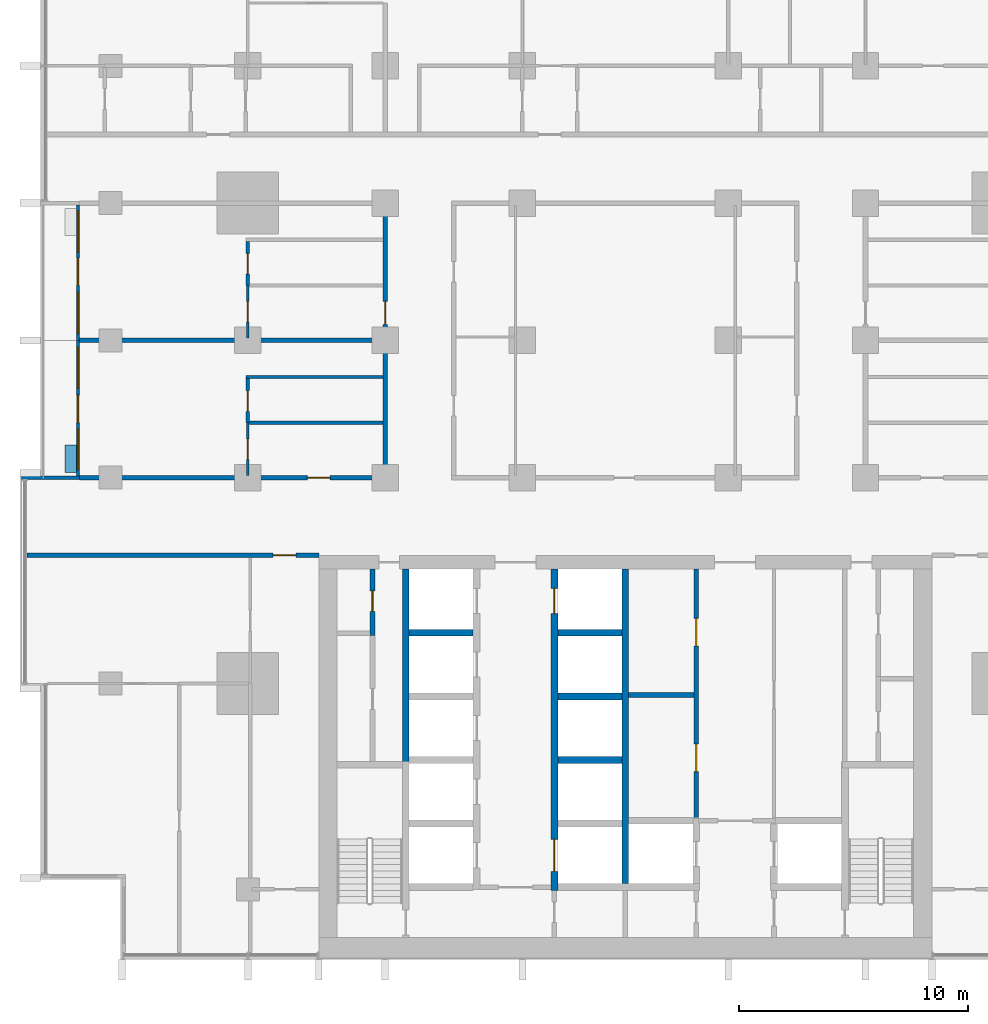
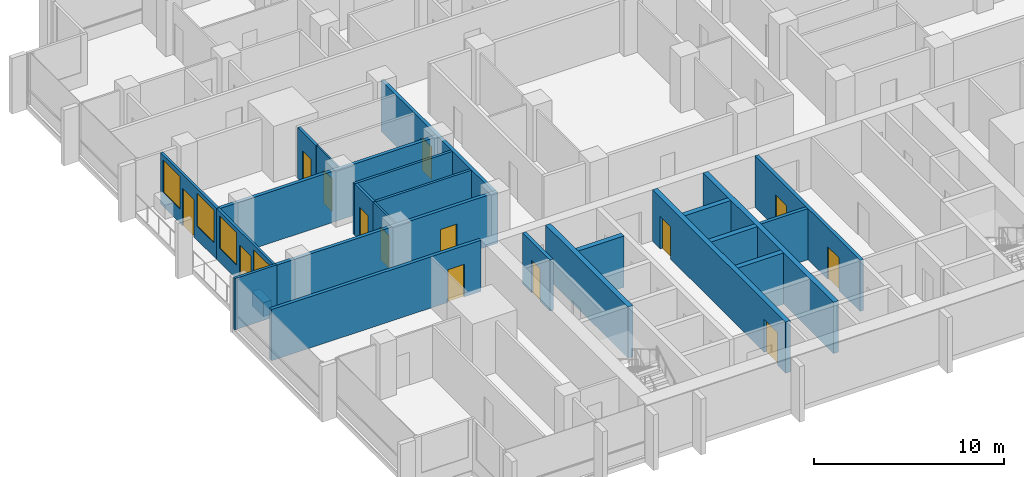
# One storey, part 8 of 17: 24 walls, 14 doors, 4 windows, 18 openings.
"""IFC4 building model written with IfcOpenShell, lengths in metres."""

import ifcopenshell
import ifcopenshell.guid

model = None  # the IFC model being written
_history = None  # IfcOwnerHistory: only IFC2X3 demands one
_inside = {}  # id of a spatial element -> (the spatial element, [elements in it])
_under = {}  # id of a project, library or spatial element -> (it, [spatial elements below it])
_declared = {}  # id of a project -> (the project, [libraries it declares])
_typed = {}  # id of a type object -> (the type object, [elements of that type])
_made_of = {}  # id of a material, layer set ... -> (it, [elements and type objects made of it])


def new_model(schema):
    """Start an empty IFC model of exactly this schema.

    Asked for "IFC4X3", IfcOpenShell would pick the latest addendum, in which some entities
    have other attributes; the version numbers below select the first issue.
    IFC2X3 requires an IfcOwnerHistory on every rooted entity: one is made here for all.
    """
    global model, _history
    if schema == "IFC4X3":
        model = ifcopenshell.file(schema_version=(4, 3, 0, 0))
    else:
        model = ifcopenshell.file(schema=schema)
    _inside.clear()
    _under.clear()
    _declared.clear()
    _typed.clear()
    _made_of.clear()
    _history = None
    if model.schema == "IFC2X3":
        org = make("IfcOrganization", Name="unknown")
        user = make(
            "IfcPersonAndOrganization",
            ThePerson=make("IfcPerson", FamilyName="unknown"),
            TheOrganization=org,
        )
        app = make(
            "IfcApplication",
            ApplicationDeveloper=org,
            Version="unknown",
            ApplicationFullName="unknown",
            ApplicationIdentifier="unknown",
        )
        _history = make(
            "IfcOwnerHistory",
            OwningUser=user,
            OwningApplication=app,
            ChangeAction="ADDED",
            CreationDate=0,
        )
    return model


def make(cls, **values):
    """One entity of the class cls with the attributes given. An attribute that is None is left unset."""
    return model.create_entity(
        cls, **{name: value for name, value in values.items() if value is not None}
    )


def rooted(cls, **values):
    """An entity with a GlobalId (a new one), such as an element, a storey or a relation."""
    return make(cls, GlobalId=ifcopenshell.guid.new(), OwnerHistory=_history, **values)


def si_unit(unit_type, name, prefix=None):
    """IfcSIUnit, for example si_unit("LENGTHUNIT", "METRE", prefix="MILLI")."""
    return make("IfcSIUnit", UnitType=unit_type, Prefix=prefix, Name=name)


def assignment(units):
    """IfcUnitAssignment: the units of a project."""
    return None if units is None else make("IfcUnitAssignment", Units=units)


def point(xyz):
    """IfcCartesianPoint."""
    return None if xyz is None else make("IfcCartesianPoint", Coordinates=xyz)


def direction(xyz):
    """IfcDirection."""
    return None if xyz is None else make("IfcDirection", DirectionRatios=xyz)


def frame(location, z_axis=None, x_axis=None):
    """IfcAxis2Placement3D, a coordinate frame: its origin and axes. An axis left out is left unset."""
    return make(
        "IfcAxis2Placement3D",
        Location=point(location),
        Axis=direction(z_axis),
        RefDirection=direction(x_axis),
    )


def frame_2d(location, x_axis=None):
    """IfcAxis2Placement2D, a coordinate frame in the plane: its origin and x axis."""
    return make(
        "IfcAxis2Placement2D", Location=point(location), RefDirection=direction(x_axis)
    )


def origin():
    """The frame at (0, 0, 0) with its axes left unset."""
    return frame((0.0, 0.0, 0.0))


def place(relative_to, where):
    """IfcLocalPlacement: puts the frame where relative to a parent placement (None: the world)."""
    return make(
        "IfcLocalPlacement", PlacementRelTo=relative_to, RelativePlacement=where
    )


def context(
    kind, dimensions, precision=None, world=None, true_north=None, identifier=None
):
    """IfcGeometricRepresentationContext, for example the 3D "Model" context."""
    return make(
        "IfcGeometricRepresentationContext",
        ContextIdentifier=identifier,
        ContextType=kind,
        CoordinateSpaceDimension=dimensions,
        Precision=precision,
        WorldCoordinateSystem=world,
        TrueNorth=true_north,
    )


def subcontext(parent, identifier, kind, view, scale=None):
    """IfcGeometricRepresentationSubContext, for example "Body" below "Model"."""
    return make(
        "IfcGeometricRepresentationSubContext",
        ContextIdentifier=identifier,
        ContextType=kind,
        ParentContext=parent,
        TargetScale=scale,
        TargetView=view,
    )


def project(units=None, contexts=None):
    """IfcProject with its units and contexts."""
    return rooted(
        "IfcProject",
        Name="project",
        RepresentationContexts=contexts,
        UnitsInContext=assignment(units),
    )


def spatial(cls, under=None, at=None, **own):
    """A site, building, storey or space (cls), placed at a placement, below another one or the project."""
    s = rooted(cls, ObjectPlacement=at, **own)
    if under is not None:
        _under.setdefault(under.id(), (under, []))[1].append(s)
    return s


def profile(cls, at=None, kind="AREA", **sizes):
    """A parametric profile (cls). Its sizes go by their IFC names, for example OverallWidth=200.0."""
    return make(cls, ProfileType=kind, Position=at, **sizes)


def rectangle(**sizes):
    """IfcRectangleProfileDef."""
    return profile("IfcRectangleProfileDef", **sizes)


def extrude(swept, where, along, depth):
    """IfcExtrudedAreaSolid: the profile swept, set in the frame where, extruded along a direction by depth."""
    return make(
        "IfcExtrudedAreaSolid",
        SweptArea=swept,
        Position=where,
        ExtrudedDirection=direction(along),
        Depth=depth,
    )


def shape(context_of_items, identifier, shape_type, items):
    """IfcShapeRepresentation: the items that make up one representation, for example the "Body"."""
    return make(
        "IfcShapeRepresentation",
        ContextOfItems=context_of_items,
        RepresentationIdentifier=identifier,
        RepresentationType=shape_type,
        Items=items,
    )


def material(Name=None, Category=None):
    """IfcMaterial."""
    return make("IfcMaterial", Name=Name, Category=Category)


def layer(
    of_material, thickness, ventilated=None, Name=None, Category=None, Priority=None
):
    """IfcMaterialLayer: one layer of a wall or slab, of a material (None: an air gap)."""
    return make(
        "IfcMaterialLayer",
        Material=of_material,
        LayerThickness=thickness,
        IsVentilated=ventilated,
        Name=Name,
        Category=Category,
        Priority=Priority,
    )


def layer_set(layers, Name=None):
    """IfcMaterialLayerSet."""
    return make("IfcMaterialLayerSet", MaterialLayers=layers, LayerSetName=Name)


def made_of(thing, what):
    """Note that an element or type object is made of a material, layer set ...; save() writes the relation."""
    if what is not None:
        _made_of.setdefault(what.id(), (what, []))[1].append(thing)
    return thing


def type_object(cls, material=None, **own):
    """A type object (cls), such as IfcWallType, which elements share."""
    return made_of(rooted(cls, **own), material)


def element(
    cls,
    number,
    at=None,
    inside=None,
    cuts=None,
    type_object=None,
    material=None,
    context=None,
    identifier="Body",
    shape_type=None,
    held_by="IfcProductDefinitionShape",
    body=None,
    shapes=None,
    **own,
):
    """One element of the class cls, such as IfcWall. Its Tag is "e" and its number.

    at: its placement. inside: the storey or other place that contains it. cuts: it is an
    opening in that element (IfcRelVoidsElement). A single representation is given by context,
    identifier, shape_type and body (its items); several are given by shapes. held_by: the class
    of the entity that holds the representations. save() writes the other relations.
    """
    e = rooted(cls, Tag="e%d" % number, ObjectPlacement=at, **own)
    if body is not None:
        shapes = [shape(context, identifier, shape_type, body)]
    if shapes is not None:
        e.Representation = make(held_by, Representations=shapes)
    if inside is not None:
        _inside.setdefault(inside.id(), (inside, []))[1].append(e)
    if cuts is not None:
        rooted(
            "IfcRelVoidsElement", RelatingBuildingElement=cuts, RelatedOpeningElement=e
        )
    if type_object is not None:
        _typed.setdefault(type_object.id(), (type_object, []))[1].append(e)
    return made_of(e, material)


def fill(opening, filler):
    """IfcRelFillsElement: the door or window that sits in an opening."""
    return rooted(
        "IfcRelFillsElement",
        RelatingOpeningElement=opening,
        RelatedBuildingElement=filler,
    )


def aggregate(whole, parts):
    """IfcRelAggregates: a whole, such as a stair, and the parts it consists of."""
    return rooted("IfcRelAggregates", RelatingObject=whole, RelatedObjects=parts)


def save(model, path):
    """Write the relations noted so far, then the file.

    IfcRelAggregates (storeys below a building ...), IfcRelContainedInSpatialStructure (elements
    in a storey), IfcRelDefinesByType, IfcRelAssociatesMaterial and IfcRelDeclares: one each for
    every whole, place, type object, material and project.
    """
    for whole, parts in _under.values():
        aggregate(whole, parts)
    for where, things in _inside.values():
        rooted(
            "IfcRelContainedInSpatialStructure",
            RelatedElements=things,
            RelatingStructure=where,
        )
    for kind, things in _typed.values():
        rooted("IfcRelDefinesByType", RelatedObjects=things, RelatingType=kind)
    for what, things in _made_of.values():
        rooted("IfcRelAssociatesMaterial", RelatedObjects=things, RelatingMaterial=what)
    for by, libraries in _declared.values():
        rooted("IfcRelDeclares", RelatingContext=by, RelatedDefinitions=libraries)
    model.write(path)


model = new_model("IFC4")

# Units and contexts
model_context = context("Model", 3, precision=1e-05, world=origin(), true_north=direction((0.0, 1.0)))
body_context = subcontext(model_context, "Body", "Model", "MODEL_VIEW")
ifc_project = project(units=[si_unit("LENGTHUNIT", "METRE"), si_unit("AREAUNIT", "SQUARE_METRE"), si_unit("VOLUMEUNIT", "CUBIC_METRE"), si_unit("PLANEANGLEUNIT", "RADIAN"), si_unit("MASSUNIT", "GRAM", prefix="KILO")], contexts=[model_context])

# Site, building, storey
site_placement = place(None, origin())
site = spatial("IfcSite", under=ifc_project, at=site_placement, CompositionType="ELEMENT")
building_placement = place(site_placement, origin())
building = spatial("IfcBuilding", under=site, at=building_placement, Name="Finial Court Residences", CompositionType="ELEMENT")
storey_placement = place(building_placement, frame((0.0, 0.0, 102.699951171875)))
storey = spatial("IfcBuildingStorey", under=building, at=storey_placement, Name="L25", CompositionType="ELEMENT", Elevation=102.699951171875)

# Wall
ifc_material_1 = material(Name="Gypsum board")
ifc_layer_1 = layer(ifc_material_1, 0.02490234375)
ifc_material_2 = material(Name="Acoustic mineral wool in double frame")
ifc_layer_2 = layer(ifc_material_2, 0.14990234375)
ifc_layer_3 = layer(ifc_material_1, 0.02490234375)
ifc_layer_set_1 = layer_set([ifc_layer_1, ifc_layer_2, ifc_layer_3], Name="Acoustic party wall 200, 1 hour")
wall_type_1 = type_object("IfcWallType", Name="Acoustic party wall 200, 1 hour", PredefinedType="PARTITIONING", material=ifc_layer_set_1)
wall_1_placement = place(storey_placement, frame((-23.85009765625, 1.5, 0.0), z_axis=(0.0, 0.0, 1.0), x_axis=(1.0, 0.0, 0.0)))
element("IfcWall", 1, at=wall_1_placement, inside=storey, type_object=wall_type_1, Name="Partition L25-016", PredefinedType="PARTITIONING", context=body_context, shape_type="SweptSolid", body=[
    extrude(rectangle(XDim=13.25, YDim=0.199951171875, at=frame_2d((6.625, 0.0))), origin(), (0.0, 0.0, 1.0), 3.300048828125),
])

# Wall, opening, door
ifc_layer_4 = layer(ifc_material_1, 0.02490234375)
ifc_layer_5 = layer(ifc_material_2, 0.14990234375)
ifc_layer_6 = layer(ifc_material_1, 0.02490234375)
ifc_layer_set_2 = layer_set([ifc_layer_4, ifc_layer_5, ifc_layer_6], Name="Corridor wall 200, 1 hour")
wall_type_2 = type_object("IfcWallType", Name="Corridor wall 200, 1 hour", PredefinedType="PARTITIONING", material=ifc_layer_set_2)
wall_2_placement = place(storey_placement, frame((-26.14990234375, -7.89990234375, 0.0), z_axis=(0.0, 0.0, 1.0), x_axis=(1.0, 0.0, 0.0)))
wall_2 = element("IfcWall", 2, at=wall_2_placement, inside=storey, type_object=wall_type_2, Name="Partition L25-007", PredefinedType="PARTITIONING", context=body_context, shape_type="SweptSolid", body=[
    extrude(rectangle(XDim=12.75, YDim=0.199951171875, at=frame_2d((6.375, 0.0))), origin(), (0.0, 0.0, 1.0), 3.300048828125),
])
opening_1_placement = place(wall_2_placement, frame((10.75, 0.0, 0.0)))
opening_1 = element("IfcOpeningElement", 3, at=opening_1_placement, cuts=wall_2, Name="Opening L25-D005", PredefinedType="OPENING", context=body_context, shape_type="SweptSolid", body=[
    extrude(rectangle(XDim=1.0, YDim=2.10009765625, at=frame_2d((0.5, 1.050048828125))), frame((0.0, 0.10986328125, 0.0), z_axis=(0.0, -1.0, 0.0), x_axis=(1.0, 0.0, 0.0)), (0.0, 0.0, 1.0), 0.219970703125),
])
ifc_material_3 = material(Name="Timber door leaf in hollow metal frame", Category="wood")
door_type_1 = type_object("IfcDoorType", Name="Fire door set 1000 x 2100, 30 minutes", OperationType="SINGLE_SWING_LEFT", PredefinedType="DOOR", material=ifc_material_3)
door_1_placement = place(opening_1_placement, origin())
door_1 = element("IfcDoor", 4, at=door_1_placement, inside=storey, type_object=door_type_1, Name="Door L25-D005", OperationType="SINGLE_SWING_RIGHT", OverallHeight=2.10009765625, OverallWidth=1.0, PredefinedType="DOOR", context=body_context, shape_type="SweptSolid", body=[
    extrude(rectangle(XDim=1.0, YDim=2.10009765625, at=frame_2d((0.5, 1.050048828125))), frame((0.0, 0.02490234375, 0.0), z_axis=(0.0, -1.0, 0.0), x_axis=(1.0, 0.0, 0.0)), (0.0, 0.0, 1.0), 0.050048828125),
])
fill(opening_1, door_1)

wall_3_placement = place(storey_placement, frame((-23.85009765625, -4.5, 0.0), z_axis=(0.0, 0.0, 1.0), x_axis=(1.0, 0.0, 0.0)))
wall_3 = element("IfcWall", 5, at=wall_3_placement, inside=storey, type_object=wall_type_2, Name="Partition L25-009", PredefinedType="PARTITIONING", context=body_context, shape_type="SweptSolid", body=[
    extrude(rectangle(XDim=13.4501953125, YDim=0.199951171875, at=frame_2d((6.72509765625, 0.0))), origin(), (0.0, 0.0, 1.0), 3.300048828125),
])
opening_2_placement = place(wall_3_placement, frame((9.949951171875, 0.0, 0.0)))
opening_2 = element("IfcOpeningElement", 6, at=opening_2_placement, cuts=wall_3, Name="Opening L25-D007", PredefinedType="OPENING", context=body_context, shape_type="SweptSolid", body=[
    extrude(rectangle(XDim=1.0, YDim=2.10009765625, at=frame_2d((0.5, 1.050048828125))), frame((0.0, 0.10986328125, 0.0), z_axis=(0.0, -1.0, 0.0), x_axis=(1.0, 0.0, 0.0)), (0.0, 0.0, 1.0), 0.219970703125),
])
door_2_placement = place(opening_2_placement, origin())
door_2 = element("IfcDoor", 7, at=door_2_placement, inside=storey, type_object=door_type_1, Name="Door L25-D007", OperationType="SINGLE_SWING_LEFT", OverallHeight=2.10009765625, OverallWidth=1.0, PredefinedType="DOOR", context=body_context, shape_type="SweptSolid", body=[
    extrude(rectangle(XDim=1.0, YDim=2.10009765625, at=frame_2d((0.5, 1.050048828125))), frame((0.0, 0.02490234375, 0.0), z_axis=(0.0, -1.0, 0.0), x_axis=(1.0, 0.0, 0.0)), (0.0, 0.0, 1.0), 0.050048828125),
])
fill(opening_2, door_2)

wall_4_placement = place(storey_placement, frame((-10.5, -4.39990234375, 0.0), z_axis=(0.0, 0.0, 1.0), x_axis=(0.0, 1.0, 0.0)))
wall_4 = element("IfcWall", 8, at=wall_4_placement, inside=storey, type_object=wall_type_2, Name="Partition L25-053", PredefinedType="PARTITIONING", context=body_context, shape_type="SweptSolid", body=[
    extrude(rectangle(XDim=11.7998046875, YDim=0.199951171875, at=frame_2d((5.89990234375, 0.0))), origin(), (0.0, 0.0, 1.0), 3.300048828125),
])
opening_3_placement = place(wall_4_placement, frame((6.60009765625, 0.0, 0.0)))
opening_3 = element("IfcOpeningElement", 9, at=opening_3_placement, cuts=wall_4, Name="Opening L25-D032", PredefinedType="OPENING", context=body_context, shape_type="SweptSolid", body=[
    extrude(rectangle(XDim=1.0, YDim=2.10009765625, at=frame_2d((0.5, 1.050048828125))), frame((0.0, 0.10986328125, 0.0), z_axis=(0.0, -1.0, 0.0), x_axis=(1.0, 0.0, 0.0)), (0.0, 0.0, 1.0), 0.219970703125),
])
door_3_placement = place(opening_3_placement, origin())
door_3 = element("IfcDoor", 10, at=door_3_placement, inside=storey, type_object=door_type_1, Name="Door L25-D032", OperationType="SINGLE_SWING_LEFT", OverallHeight=2.10009765625, OverallWidth=1.0, PredefinedType="DOOR", context=body_context, shape_type="SweptSolid", body=[
    extrude(rectangle(XDim=1.0, YDim=2.10009765625, at=frame_2d((0.5, 1.050048828125))), frame((0.0, 0.02490234375, 0.0), z_axis=(0.0, -1.0, 0.0), x_axis=(1.0, 0.0, 0.0)), (0.0, 0.0, 1.0), 0.050048828125),
])
fill(opening_3, door_3)

ifc_layer_7 = layer(ifc_material_1, 0.012451171875)
ifc_material_4 = material(Name="Mineral wool in light-gauge frame")
ifc_layer_8 = layer(ifc_material_4, 0.074951171875)
ifc_layer_9 = layer(ifc_material_1, 0.012451171875)
ifc_layer_set_3 = layer_set([ifc_layer_7, ifc_layer_8, ifc_layer_9], Name="Gypsum board partition 100")
wall_type_3 = type_object("IfcWallType", Name="Gypsum board partition 100", PredefinedType="PARTITIONING", material=ifc_layer_set_3)
wall_5_placement = place(storey_placement, frame((-16.5, -4.39990234375, 0.0), z_axis=(0.0, 0.0, 1.0), x_axis=(0.0, 1.0, 0.0)))
wall_5 = element("IfcWall", 11, at=wall_5_placement, inside=storey, type_object=wall_type_3, Name="Partition L25-045", PredefinedType="PARTITIONING", context=body_context, shape_type="SweptSolid", body=[
    extrude(rectangle(XDim=2.2998046875, YDim=0.10009765625, at=frame_2d((1.14990234375, 0.0))), origin(), (0.0, 0.0, 1.0), 3.300048828125),
])
opening_4_placement = place(wall_5_placement, frame((0.699951171875, 0.0, 0.0)))
opening_4 = element("IfcOpeningElement", 12, at=opening_4_placement, cuts=wall_5, Name="Opening L25-D026", PredefinedType="OPENING", context=body_context, shape_type="SweptSolid", body=[
    extrude(rectangle(XDim=0.89990234375, YDim=2.10009765625, at=frame_2d((0.449951171875, 1.050048828125))), frame((0.0, 0.06005859375, 0.0), z_axis=(0.0, -1.0, 0.0), x_axis=(1.0, 0.0, 0.0)), (0.0, 0.0, 1.0), 0.1201171875),
])
ifc_material_5 = material(Name="Timber door leaf in timber frame", Category="wood")
door_type_2 = type_object("IfcDoorType", Name="Door set 900 x 2100", OperationType="SINGLE_SWING_LEFT", PredefinedType="DOOR", material=ifc_material_5)
door_4_placement = place(opening_4_placement, origin())
door_4 = element("IfcDoor", 13, at=door_4_placement, inside=storey, type_object=door_type_2, Name="Door L25-D026", OperationType="SINGLE_SWING_LEFT", OverallHeight=2.10009765625, OverallWidth=0.89990234375, PredefinedType="DOOR", context=body_context, shape_type="SweptSolid", body=[
    extrude(rectangle(XDim=0.89990234375, YDim=2.10009765625, at=frame_2d((0.449951171875, 1.050048828125))), frame((0.0, 0.02490234375, 0.0), z_axis=(0.0, -1.0, 0.0), x_axis=(1.0, 0.0, 0.0)), (0.0, 0.0, 1.0), 0.050048828125),
])
fill(opening_4, door_4)

wall_6_placement = place(storey_placement, frame((-16.5, 1.60009765625, 0.0), z_axis=(0.0, 0.0, 1.0), x_axis=(0.0, 1.0, 0.0)))
wall_6 = element("IfcWall", 14, at=wall_6_placement, inside=storey, type_object=wall_type_3, Name="Partition L25-046", PredefinedType="PARTITIONING", context=body_context, shape_type="SweptSolid", body=[
    extrude(rectangle(XDim=2.2998046875, YDim=0.10009765625, at=frame_2d((1.14990234375, 0.0))), origin(), (0.0, 0.0, 1.0), 3.300048828125),
])
opening_5_placement = place(wall_6_placement, frame((0.699951171875, 0.0, 0.0)))
opening_5 = element("IfcOpeningElement", 15, at=opening_5_placement, cuts=wall_6, Name="Opening L25-D027", PredefinedType="OPENING", context=body_context, shape_type="SweptSolid", body=[
    extrude(rectangle(XDim=0.89990234375, YDim=2.10009765625, at=frame_2d((0.449951171875, 1.050048828125))), frame((0.0, 0.06005859375, 0.0), z_axis=(0.0, -1.0, 0.0), x_axis=(1.0, 0.0, 0.0)), (0.0, 0.0, 1.0), 0.1201171875),
])
door_5_placement = place(opening_5_placement, origin())
door_5 = element("IfcDoor", 16, at=door_5_placement, inside=storey, type_object=door_type_2, Name="Door L25-D027", OperationType="SINGLE_SWING_RIGHT", OverallHeight=2.10009765625, OverallWidth=0.89990234375, PredefinedType="DOOR", context=body_context, shape_type="SweptSolid", body=[
    extrude(rectangle(XDim=0.89990234375, YDim=2.10009765625, at=frame_2d((0.449951171875, 1.050048828125))), frame((0.0, 0.02490234375, 0.0), z_axis=(0.0, -1.0, 0.0), x_axis=(1.0, 0.0, 0.0)), (0.0, 0.0, 1.0), 0.050048828125),
])
fill(opening_5, door_5)

# Walls
ifc_material_6 = material(Name="Moisture-resistant gypsum board")
ifc_layer_10 = layer(ifc_material_6, 0.012451171875)
ifc_layer_11 = layer(ifc_material_4, 0.125)
ifc_layer_12 = layer(ifc_material_6, 0.012451171875)
ifc_layer_set_4 = layer_set([ifc_layer_10, ifc_layer_11, ifc_layer_12], Name="Gypsum board wet-area partition 150")
wall_type_4 = type_object("IfcWallType", Name="Gypsum board wet-area partition 150", PredefinedType="PARTITIONING", material=ifc_layer_set_4)
wall_7_placement = place(storey_placement, frame((-16.425048828125, -2.10009765625, 0.0), z_axis=(0.0, 0.0, 1.0), x_axis=(1.0, 0.0, 0.0)))
element("IfcWall", 17, at=wall_7_placement, inside=storey, type_object=wall_type_4, Name="Partition L25-012", PredefinedType="PARTITIONING", context=body_context, shape_type="SweptSolid", body=[
    extrude(rectangle(XDim=5.824951171875, YDim=0.14990234375, at=frame_2d((2.91259765625, 0.0))), origin(), (0.0, 0.0, 1.0), 3.300048828125),
])
wall_8_placement = place(storey_placement, frame((-16.574951171875, -0.10009765625, 0.0), z_axis=(0.0, 0.0, 1.0), x_axis=(1.0, 0.0, 0.0)))
element("IfcWall", 18, at=wall_8_placement, inside=storey, type_object=wall_type_4, Name="Partition L25-014", PredefinedType="PARTITIONING", context=body_context, shape_type="SweptSolid", body=[
    extrude(rectangle(XDim=5.974853515625, YDim=0.14990234375, at=frame_2d((2.9873046875, 0.0))), origin(), (0.0, 0.0, 1.0), 3.300048828125),
])

# Wall, opening, door
wall_9_placement = place(storey_placement, frame((-16.5, -2.10009765625, 0.0), z_axis=(0.0, 0.0, 1.0), x_axis=(0.0, 1.0, 0.0)))
wall_9 = element("IfcWall", 19, at=wall_9_placement, inside=storey, type_object=wall_type_4, Name="Partition L25-048", PredefinedType="PARTITIONING", context=body_context, shape_type="SweptSolid", body=[
    extrude(rectangle(XDim=1.925048828125, YDim=0.14990234375, at=frame_2d((0.96240234375, 0.0))), origin(), (0.0, 0.0, 1.0), 3.300048828125),
])
opening_6_placement = place(wall_9_placement, frame((0.5, 0.0, 0.0)))
opening_6 = element("IfcOpeningElement", 20, at=opening_6_placement, cuts=wall_9, Name="Opening L25-D029", PredefinedType="OPENING", context=body_context, shape_type="SweptSolid", body=[
    extrude(rectangle(XDim=0.89990234375, YDim=2.10009765625, at=frame_2d((0.449951171875, 1.050048828125))), frame((0.0, 0.0849609375, 0.0), z_axis=(0.0, -1.0, 0.0), x_axis=(1.0, 0.0, 0.0)), (0.0, 0.0, 1.0), 0.169921875),
])
door_6_placement = place(opening_6_placement, origin())
door_6 = element("IfcDoor", 21, at=door_6_placement, inside=storey, type_object=door_type_2, Name="Door L25-D029", OperationType="SINGLE_SWING_LEFT", OverallHeight=2.10009765625, OverallWidth=0.89990234375, PredefinedType="DOOR", context=body_context, shape_type="SweptSolid", body=[
    extrude(rectangle(XDim=0.89990234375, YDim=2.10009765625, at=frame_2d((0.449951171875, 1.050048828125))), frame((0.0, 0.02490234375, 0.0), z_axis=(0.0, -1.0, 0.0), x_axis=(1.0, 0.0, 0.0)), (0.0, 0.0, 1.0), 0.050048828125),
])
fill(opening_6, door_6)

wall_10_placement = place(storey_placement, frame((-16.5, 3.89990234375, 0.0), z_axis=(0.0, 0.0, 1.0), x_axis=(0.0, 1.0, 0.0)))
wall_10 = element("IfcWall", 22, at=wall_10_placement, inside=storey, type_object=wall_type_4, Name="Partition L25-049", PredefinedType="PARTITIONING", context=body_context, shape_type="SweptSolid", body=[
    extrude(rectangle(XDim=1.925048828125, YDim=0.14990234375, at=frame_2d((0.96240234375, 0.0))), origin(), (0.0, 0.0, 1.0), 3.300048828125),
])
opening_7_placement = place(wall_10_placement, frame((0.5, 0.0, 0.0)))
opening_7 = element("IfcOpeningElement", 23, at=opening_7_placement, cuts=wall_10, Name="Opening L25-D030", PredefinedType="OPENING", context=body_context, shape_type="SweptSolid", body=[
    extrude(rectangle(XDim=0.89990234375, YDim=2.10009765625, at=frame_2d((0.449951171875, 1.050048828125))), frame((0.0, 0.0849609375, 0.0), z_axis=(0.0, -1.0, 0.0), x_axis=(1.0, 0.0, 0.0)), (0.0, 0.0, 1.0), 0.169921875),
])
door_7_placement = place(opening_7_placement, origin())
door_7 = element("IfcDoor", 24, at=door_7_placement, inside=storey, type_object=door_type_2, Name="Door L25-D030", OperationType="SINGLE_SWING_LEFT", OverallHeight=2.10009765625, OverallWidth=0.89990234375, PredefinedType="DOOR", context=body_context, shape_type="SweptSolid", body=[
    extrude(rectangle(XDim=0.89990234375, YDim=2.10009765625, at=frame_2d((0.449951171875, 1.050048828125))), frame((0.0, 0.02490234375, 0.0), z_axis=(0.0, -1.0, 0.0), x_axis=(1.0, 0.0, 0.0)), (0.0, 0.0, 1.0), 0.050048828125),
])
fill(opening_7, door_7)

# Walls
ifc_material_7 = material(Name="Concrete C70/85", Category="concrete")
ifc_layer_13 = layer(ifc_material_7, 0.300048828125)
ifc_layer_set_5 = layer_set([ifc_layer_13], Name="Lift shaft and stair wall 300 Concrete C70/85")
wall_type_5 = type_object("IfcWallType", Name="Lift shaft and stair wall 300 Concrete C70/85", PredefinedType="SHEAR", material=ifc_layer_set_5)
for number, where, z_axis, x_axis, name in (
    (25, (-2.949951171875, -16.840087890625, 0.0), (0.0, 0.0, 1.0), (1.0, 0.0, 0.0), "Core wall L25-13"),
    (26, (-2.949951171875, -14.06005859375, 0.0), (0.0, 0.0, 1.0), (1.0, 0.0, 0.0), "Core wall L25-15"),
    (27, (-9.449951171875, -11.280029296875, 0.0), (0.0, 0.0, 1.0), (1.0, 0.0, 0.0), "Core wall L25-19"),
    (28, (-2.949951171875, -11.280029296875, 0.0), (0.0, 0.0, 1.0), (1.0, 0.0, 0.0), "Core wall L25-20"),
):
    element("IfcWall", number, at=place(storey_placement, frame(where, z_axis=z_axis, x_axis=x_axis)), inside=storey, type_object=wall_type_5, Name=name, PredefinedType="SHEAR", context=body_context, shape_type="SweptSolid", body=[
        extrude(rectangle(XDim=2.800048828125, YDim=0.300048828125, at=frame_2d((1.39990234375, 0.0))), origin(), (0.0, 0.0, 1.0), 3.300048828125),
    ])
wall_11_placement = place(storey_placement, frame((-9.60009765625, -17.199951171875, 0.0), z_axis=(0.0, 0.0, 1.0), x_axis=(0.0, 1.0, 0.0)))
element("IfcWall", 29, at=wall_11_placement, inside=storey, type_object=wall_type_5, Name="Core wall L25-24", PredefinedType="SHEAR", context=body_context, shape_type="SweptSolid", body=[
    extrude(rectangle(XDim=8.699951171875, YDim=0.300048828125, at=frame_2d((4.35009765625, 0.0))), origin(), (0.0, 0.0, 1.0), 3.300048828125),
])

# Wall, openings, doors
wall_12_placement = place(storey_placement, frame((-3.10009765625, -22.550048828125, 0.0), z_axis=(0.0, 0.0, 1.0), x_axis=(0.0, 1.0, 0.0)))
wall_12 = element("IfcWall", 30, at=wall_12_placement, inside=storey, type_object=wall_type_5, Name="Core wall L25-27", PredefinedType="SHEAR", context=body_context, shape_type="SweptSolid", body=[
    extrude(rectangle(XDim=14.050048828125, YDim=0.300048828125, at=frame_2d((7.02490234375, 0.0))), origin(), (0.0, 0.0, 1.0), 3.300048828125),
])
opening_8_placement = place(wall_12_placement, frame((12.110107421875, 0.0, 0.0)))
opening_8 = element("IfcOpeningElement", 31, at=opening_8_placement, cuts=wall_12, Name="Opening L25-LD08", PredefinedType="OPENING", context=body_context, shape_type="SweptSolid", body=[
    extrude(rectangle(XDim=1.10009765625, YDim=2.10009765625, at=frame_2d((0.550048828125, 1.050048828125))), frame((0.0, 0.159912109375, 0.0), z_axis=(0.0, -1.0, 0.0), x_axis=(1.0, 0.0, 0.0)), (0.0, 0.0, 1.0), 0.320068359375),
])
opening_9_placement = place(wall_12_placement, frame((0.840087890625, 0.0, 0.0)))
opening_9 = element("IfcOpeningElement", 32, at=opening_9_placement, cuts=wall_12, Name="Opening L25-LD09", PredefinedType="OPENING", context=body_context, shape_type="SweptSolid", body=[
    extrude(rectangle(XDim=1.39990234375, YDim=2.10009765625, at=frame_2d((0.699951171875, 1.050048828125))), frame((0.0, 0.159912109375, 0.0), z_axis=(0.0, -1.0, 0.0), x_axis=(1.0, 0.0, 0.0)), (0.0, 0.0, 1.0), 0.320068359375),
])
ifc_material_8 = material(Name="Stainless steel lift door", Category="steel")
door_type_3 = type_object("IfcDoorType", Name="Lift landing door 1100 x 2100 EI 90", OperationType="DOUBLE_DOOR_SLIDING", PredefinedType="DOOR", material=ifc_material_8)
door_8_placement = place(opening_8_placement, origin())
door_8 = element("IfcDoor", 33, at=door_8_placement, inside=storey, type_object=door_type_3, Name="Lift landing door LR6 L25", OperationType="DOUBLE_DOOR_SLIDING", OverallHeight=2.10009765625, OverallWidth=1.10009765625, PredefinedType="DOOR", context=body_context, shape_type="SweptSolid", body=[
    extrude(rectangle(XDim=1.10009765625, YDim=2.10009765625, at=frame_2d((0.550048828125, 1.050048828125))), frame((0.0, 0.02490234375, 0.0), z_axis=(0.0, -1.0, 0.0), x_axis=(1.0, 0.0, 0.0)), (0.0, 0.0, 1.0), 0.050048828125),
])
fill(opening_8, door_8)
door_type_4 = type_object("IfcDoorType", Name="Lift landing door 1400 x 2100 EI 90", OperationType="DOUBLE_DOOR_SLIDING", PredefinedType="DOOR", material=ifc_material_8)
door_9_placement = place(opening_9_placement, origin())
door_9 = element("IfcDoor", 34, at=door_9_placement, inside=storey, type_object=door_type_4, Name="Lift landing door SV1 L25", OperationType="DOUBLE_DOOR_SLIDING", OverallHeight=2.10009765625, OverallWidth=1.39990234375, PredefinedType="DOOR", context=body_context, shape_type="SweptSolid", body=[
    extrude(rectangle(XDim=1.39990234375, YDim=2.10009765625, at=frame_2d((0.699951171875, 1.050048828125))), frame((0.0, 0.02490234375, 0.0), z_axis=(0.0, -1.0, 0.0), x_axis=(1.0, 0.0, 0.0)), (0.0, 0.0, 1.0), 0.050048828125),
])
fill(opening_9, door_9)

# Walls
wall_13_placement = place(storey_placement, frame((0.0, -22.25, 0.0), z_axis=(0.0, 0.0, 1.0), x_axis=(0.0, 1.0, 0.0)))
element("IfcWall", 35, at=wall_13_placement, inside=storey, type_object=wall_type_5, Name="Core wall L25-29", PredefinedType="SHEAR", context=body_context, shape_type="SweptSolid", body=[
    extrude(rectangle(XDim=13.75, YDim=0.300048828125, at=frame_2d((6.875, 0.0))), origin(), (0.0, 0.0, 1.0), 3.300048828125),
])
ifc_material_9 = material(Name="Natural limestone", Category="masonry")
ifc_layer_14 = layer(ifc_material_9, 0.14990234375)
ifc_layer_set_6 = layer_set([ifc_layer_14], Name="Limestone clad wall 150")
wall_type_6 = type_object("IfcWallType", Name="Limestone clad wall 150", PredefinedType="SOLIDWALL", material=ifc_layer_set_6)
wall_14_placement = place(storey_placement, frame((-23.85009765625, -4.5, 0.0), z_axis=(0.0, 0.0, 1.0), x_axis=(-1.0, 0.0, 0.0)))
element("IfcWall", 36, at=wall_14_placement, inside=storey, type_object=wall_type_6, Name="E-L25-BALW3-P1", PredefinedType="SOLIDWALL", context=body_context, shape_type="SweptSolid", body=[
    extrude(rectangle(XDim=2.5498046875, YDim=0.14990234375, at=frame_2d((1.27490234375, 0.0))), origin(), (0.0, 0.0, 1.0), 3.300048828125),
])

# Wall, openings, door, windows
wall_15_placement = place(storey_placement, frame((-23.925048828125, -4.425048828125, 0.0), z_axis=(0.0, 0.0, 1.0), x_axis=(0.0, 1.0, 0.0)))
wall_15 = element("IfcWall", 37, at=wall_15_placement, inside=storey, type_object=wall_type_6, Name="E-L25-L25-BALW3-W", PredefinedType="SOLIDWALL", context=body_context, shape_type="SweptSolid", body=[
    extrude(rectangle(XDim=5.925048828125, YDim=0.14990234375, at=frame_2d((2.96240234375, 0.0))), origin(), (0.0, 0.0, 1.0), 3.300048828125),
])
opening_10_placement = place(wall_15_placement, frame((2.324951171875, 0.0, 0.0)))
opening_10 = element("IfcOpeningElement", 38, at=opening_10_placement, cuts=wall_15, Name="Opening DE25-03", PredefinedType="OPENING", context=body_context, shape_type="SweptSolid", body=[
    extrude(rectangle(XDim=1.199951171875, YDim=2.39990234375, at=frame_2d((0.60009765625, 1.199951171875))), frame((0.0, 0.0849609375, 0.0), z_axis=(0.0, -1.0, 0.0), x_axis=(1.0, 0.0, 0.0)), (0.0, 0.0, 1.0), 0.169921875),
])
opening_11_placement = place(wall_15_placement, frame((0.262451171875, 0.0, 0.89990234375)))
opening_11 = element("IfcOpeningElement", 39, at=opening_11_placement, cuts=wall_15, Name="Opening WE25-13", PredefinedType="OPENING", context=body_context, shape_type="SweptSolid", body=[
    extrude(rectangle(XDim=1.800048828125, YDim=2.10009765625, at=frame_2d((0.89990234375, 1.050048828125))), frame((0.0, 0.0849609375, 0.0), z_axis=(0.0, -1.0, 0.0), x_axis=(1.0, 0.0, 0.0)), (0.0, 0.0, 1.0), 0.169921875),
])
opening_12_placement = place(wall_15_placement, frame((3.824951171875, 0.0, 0.89990234375)))
opening_12 = element("IfcOpeningElement", 40, at=opening_12_placement, cuts=wall_15, Name="Opening WE25-14", PredefinedType="OPENING", context=body_context, shape_type="SweptSolid", body=[
    extrude(rectangle(XDim=1.800048828125, YDim=2.10009765625, at=frame_2d((0.89990234375, 1.050048828125))), frame((0.0, 0.0849609375, 0.0), z_axis=(0.0, -1.0, 0.0), x_axis=(1.0, 0.0, 0.0)), (0.0, 0.0, 1.0), 0.169921875),
])
ifc_material_10 = material(Name="Bronze anodised aluminium", Category="aluminium")
door_type_5 = type_object("IfcDoorType", Name="Balcony door 1200 x 2400", OperationType="SINGLE_SWING_LEFT", PredefinedType="DOOR", material=ifc_material_10)
door_10_placement = place(opening_10_placement, origin())
door_10 = element("IfcDoor", 41, at=door_10_placement, inside=storey, type_object=door_type_5, Name="E-L25-L25-BALW3-W-D", OperationType="SINGLE_SWING_LEFT", OverallHeight=2.39990234375, OverallWidth=1.199951171875, PredefinedType="DOOR", context=body_context, shape_type="SweptSolid", body=[
    extrude(rectangle(XDim=1.199951171875, YDim=2.39990234375, at=frame_2d((0.60009765625, 1.199951171875))), frame((0.0, 0.02490234375, 0.0), z_axis=(0.0, -1.0, 0.0), x_axis=(1.0, 0.0, 0.0)), (0.0, 0.0, 1.0), 0.050048828125),
])
fill(opening_10, door_10)
ifc_material_11 = material(Name="Clear low-e glass", Category="glass")
window_type = type_object("IfcWindowType", Name="Balcony window 1800 x 2100", PartitioningType="SINGLE_PANEL", PredefinedType="WINDOW", material=ifc_material_11)
window_1_placement = place(opening_11_placement, origin())
window_1 = element("IfcWindow", 42, at=window_1_placement, inside=storey, type_object=window_type, Name="E-L25-L25-BALW3-W-W1", OverallHeight=2.10009765625, OverallWidth=1.800048828125, PartitioningType="SINGLE_PANEL", PredefinedType="WINDOW", context=body_context, shape_type="SweptSolid", body=[
    extrude(rectangle(XDim=1.800048828125, YDim=2.10009765625, at=frame_2d((0.89990234375, 1.050048828125))), frame((0.0, 0.030029296875, 0.0), z_axis=(0.0, -1.0, 0.0), x_axis=(1.0, 0.0, 0.0)), (0.0, 0.0, 1.0), 0.06005859375),
])
fill(opening_11, window_1)
window_2_placement = place(opening_12_placement, origin())
window_2 = element("IfcWindow", 43, at=window_2_placement, inside=storey, type_object=window_type, Name="E-L25-L25-BALW3-W-W2", OverallHeight=2.10009765625, OverallWidth=1.800048828125, PartitioningType="SINGLE_PANEL", PredefinedType="WINDOW", context=body_context, shape_type="SweptSolid", body=[
    extrude(rectangle(XDim=1.800048828125, YDim=2.10009765625, at=frame_2d((0.89990234375, 1.050048828125))), frame((0.0, 0.030029296875, 0.0), z_axis=(0.0, -1.0, 0.0), x_axis=(1.0, 0.0, 0.0)), (0.0, 0.0, 1.0), 0.06005859375),
])
fill(opening_12, window_2)

wall_16_placement = place(storey_placement, frame((-23.925048828125, 1.5, 0.0), z_axis=(0.0, 0.0, 1.0), x_axis=(0.0, 1.0, 0.0)))
wall_16 = element("IfcWall", 44, at=wall_16_placement, inside=storey, type_object=wall_type_6, Name="E-L25-L25-BALW4-W", PredefinedType="SOLIDWALL", context=body_context, shape_type="SweptSolid", body=[
    extrude(rectangle(XDim=5.925048828125, YDim=0.14990234375, at=frame_2d((2.96240234375, 0.0))), origin(), (0.0, 0.0, 1.0), 3.300048828125),
])
opening_13_placement = place(wall_16_placement, frame((2.39990234375, 0.0, 0.0)))
opening_13 = element("IfcOpeningElement", 45, at=opening_13_placement, cuts=wall_16, Name="Opening DE25-04", PredefinedType="OPENING", context=body_context, shape_type="SweptSolid", body=[
    extrude(rectangle(XDim=1.199951171875, YDim=2.39990234375, at=frame_2d((0.60009765625, 1.199951171875))), frame((0.0, 0.0849609375, 0.0), z_axis=(0.0, -1.0, 0.0), x_axis=(1.0, 0.0, 0.0)), (0.0, 0.0, 1.0), 0.169921875),
])
opening_14_placement = place(wall_16_placement, frame((0.300048828125, 0.0, 0.89990234375)))
opening_14 = element("IfcOpeningElement", 46, at=opening_14_placement, cuts=wall_16, Name="Opening WE25-15", PredefinedType="OPENING", context=body_context, shape_type="SweptSolid", body=[
    extrude(rectangle(XDim=1.800048828125, YDim=2.10009765625, at=frame_2d((0.89990234375, 1.050048828125))), frame((0.0, 0.0849609375, 0.0), z_axis=(0.0, -1.0, 0.0), x_axis=(1.0, 0.0, 0.0)), (0.0, 0.0, 1.0), 0.169921875),
])
opening_15_placement = place(wall_16_placement, frame((3.862548828125, 0.0, 0.89990234375)))
opening_15 = element("IfcOpeningElement", 47, at=opening_15_placement, cuts=wall_16, Name="Opening WE25-16", PredefinedType="OPENING", context=body_context, shape_type="SweptSolid", body=[
    extrude(rectangle(XDim=1.800048828125, YDim=2.10009765625, at=frame_2d((0.89990234375, 1.050048828125))), frame((0.0, 0.0849609375, 0.0), z_axis=(0.0, -1.0, 0.0), x_axis=(1.0, 0.0, 0.0)), (0.0, 0.0, 1.0), 0.169921875),
])
door_11_placement = place(opening_13_placement, origin())
door_11 = element("IfcDoor", 48, at=door_11_placement, inside=storey, type_object=door_type_5, Name="E-L25-L25-BALW4-W-D", OperationType="SINGLE_SWING_RIGHT", OverallHeight=2.39990234375, OverallWidth=1.199951171875, PredefinedType="DOOR", context=body_context, shape_type="SweptSolid", body=[
    extrude(rectangle(XDim=1.199951171875, YDim=2.39990234375, at=frame_2d((0.60009765625, 1.199951171875))), frame((0.0, 0.02490234375, 0.0), z_axis=(0.0, -1.0, 0.0), x_axis=(1.0, 0.0, 0.0)), (0.0, 0.0, 1.0), 0.050048828125),
])
fill(opening_13, door_11)
window_3_placement = place(opening_14_placement, origin())
window_3 = element("IfcWindow", 49, at=window_3_placement, inside=storey, type_object=window_type, Name="E-L25-L25-BALW4-W-W1", OverallHeight=2.10009765625, OverallWidth=1.800048828125, PartitioningType="SINGLE_PANEL", PredefinedType="WINDOW", context=body_context, shape_type="SweptSolid", body=[
    extrude(rectangle(XDim=1.800048828125, YDim=2.10009765625, at=frame_2d((0.89990234375, 1.050048828125))), frame((0.0, 0.030029296875, 0.0), z_axis=(0.0, -1.0, 0.0), x_axis=(1.0, 0.0, 0.0)), (0.0, 0.0, 1.0), 0.06005859375),
])
fill(opening_14, window_3)
window_4_placement = place(opening_15_placement, origin())
window_4 = element("IfcWindow", 50, at=window_4_placement, inside=storey, type_object=window_type, Name="E-L25-L25-BALW4-W-W2", OverallHeight=2.10009765625, OverallWidth=1.800048828125, PartitioningType="SINGLE_PANEL", PredefinedType="WINDOW", context=body_context, shape_type="SweptSolid", body=[
    extrude(rectangle(XDim=1.800048828125, YDim=2.10009765625, at=frame_2d((0.89990234375, 1.050048828125))), frame((0.0, 0.030029296875, 0.0), z_axis=(0.0, -1.0, 0.0), x_axis=(1.0, 0.0, 0.0)), (0.0, 0.0, 1.0), 0.06005859375),
])
fill(opening_15, window_4)

# Walls
ifc_material_12 = material(Name="Concrete C40/50", Category="concrete")
ifc_layer_15 = layer(ifc_material_12, 0.10009765625)
ifc_material_13 = material(Name="Planting soil", Category="soil")
ifc_layer_16 = layer(ifc_material_13, 0.300048828125)
ifc_layer_17 = layer(ifc_material_12, 0.10009765625)
ifc_layer_set_7 = layer_set([ifc_layer_15, ifc_layer_16, ifc_layer_17], Name="Planter wall, balcony")
wall_type_7 = type_object("IfcWallType", Name="Planter wall, balcony", PredefinedType="USERDEFINED", material=ifc_layer_set_7)
wall_17_placement = place(storey_placement, frame((-24.25, -4.27490234375, 0.0), z_axis=(0.0, 0.0, 1.0), x_axis=(0.0, 1.0, 0.0)))
element("IfcWall", 51, at=wall_17_placement, inside=storey, type_object=wall_type_7, Name="E-L25-BALW3-PL", ObjectType="PLANTER", PredefinedType="USERDEFINED", context=body_context, shape_type="SweptSolid", body=[
    extrude(rectangle(XDim=1.199951171875, YDim=0.5, at=frame_2d((0.60009765625, 0.0))), origin(), (0.0, 0.0, 1.0), 0.900146484375),
])
ifc_material_14 = material(Name="Fire-rated gypsum board partition")
ifc_layer_18 = layer(ifc_material_14, 0.199951171875)
ifc_layer_set_8 = layer_set([ifc_layer_18], Name="Riser room wall 200 EI 120")
wall_type_8 = type_object("IfcWallType", Name="Riser room wall 200 EI 120", PredefinedType="PARTITIONING", material=ifc_layer_set_8)
wall_18_placement = place(storey_placement, frame((0.14990234375, -14.0, 0.0), z_axis=(0.0, 0.0, 1.0), x_axis=(1.0, 0.0, 0.0)))
element("IfcWall", 52, at=wall_18_placement, inside=storey, type_object=wall_type_8, Name="Core partition L25-16", PredefinedType="PARTITIONING", context=body_context, shape_type="SweptSolid", body=[
    extrude(rectangle(XDim=2.85009765625, YDim=0.199951171875, at=frame_2d((1.425048828125, 0.0))), origin(), (0.0, 0.0, 1.0), 3.300048828125),
])

# Wall, opening, door
wall_19_placement = place(storey_placement, frame((-11.050048828125, -11.39990234375, 0.0), z_axis=(0.0, 0.0, 1.0), x_axis=(0.0, 1.0, 0.0)))
wall_19 = element("IfcWall", 53, at=wall_19_placement, inside=storey, type_object=wall_type_8, Name="Core partition L25-22", PredefinedType="PARTITIONING", context=body_context, shape_type="SweptSolid", body=[
    extrude(rectangle(XDim=2.89990234375, YDim=0.199951171875, at=frame_2d((1.449951171875, 0.0))), origin(), (0.0, 0.0, 1.0), 3.300048828125),
])
opening_16_placement = place(wall_19_placement, frame((1.050048828125, 0.0, 0.0)))
opening_16 = element("IfcOpeningElement", 54, at=opening_16_placement, cuts=wall_19, Name="Opening L25-C07", PredefinedType="OPENING", context=body_context, shape_type="SweptSolid", body=[
    extrude(rectangle(XDim=0.89990234375, YDim=2.10009765625, at=frame_2d((0.449951171875, 1.050048828125))), frame((0.0, 0.10986328125, 0.0), z_axis=(0.0, -1.0, 0.0), x_axis=(1.0, 0.0, 0.0)), (0.0, 0.0, 1.0), 0.219970703125),
])
ifc_material_15 = material(Name="Steel fire door", Category="steel")
door_type_6 = type_object("IfcDoorType", Name="Riser room door 900 x 2100 EI 90", OperationType="NOTDEFINED", PredefinedType="DOOR", material=ifc_material_15)
door_12_placement = place(opening_16_placement, origin())
door_12 = element("IfcDoor", 55, at=door_12_placement, inside=storey, type_object=door_type_6, Name="Riser room door L25-C07", OperationType="SINGLE_SWING_LEFT", OverallHeight=2.10009765625, OverallWidth=0.89990234375, PredefinedType="DOOR", context=body_context, shape_type="SweptSolid", body=[
    extrude(rectangle(XDim=0.89990234375, YDim=2.10009765625, at=frame_2d((0.449951171875, 1.050048828125))), frame((0.0, 0.02490234375, 0.0), z_axis=(0.0, -1.0, 0.0), x_axis=(1.0, 0.0, 0.0)), (0.0, 0.0, 1.0), 0.050048828125),
])
fill(opening_16, door_12)

# Wall, openings, doors
wall_20_placement = place(storey_placement, frame((3.10009765625, -19.60009765625, 0.0), z_axis=(0.0, 0.0, 1.0), x_axis=(0.0, 1.0, 0.0)))
wall_20 = element("IfcWall", 56, at=wall_20_placement, inside=storey, type_object=wall_type_8, Name="Core partition L25-32", PredefinedType="PARTITIONING", context=body_context, shape_type="SweptSolid", body=[
    extrude(rectangle(XDim=11.10009765625, YDim=0.199951171875, at=frame_2d((5.550048828125, 0.0))), origin(), (0.0, 0.0, 1.0), 3.300048828125),
])
opening_17_placement = place(wall_20_placement, frame((2.25, 0.0, 0.0)))
opening_17 = element("IfcOpeningElement", 57, at=opening_17_placement, cuts=wall_20, Name="Opening L25-C09", PredefinedType="OPENING", context=body_context, shape_type="SweptSolid", body=[
    extrude(rectangle(XDim=1.199951171875, YDim=2.10009765625, at=frame_2d((0.60009765625, 1.050048828125))), frame((0.0, 0.10986328125, 0.0), z_axis=(0.0, -1.0, 0.0), x_axis=(1.0, 0.0, 0.0)), (0.0, 0.0, 1.0), 0.219970703125),
])
opening_18_placement = place(wall_20_placement, frame((7.75, 0.0, 0.0)))
opening_18 = element("IfcOpeningElement", 58, at=opening_18_placement, cuts=wall_20, Name="Opening L25-C10", PredefinedType="OPENING", context=body_context, shape_type="SweptSolid", body=[
    extrude(rectangle(XDim=1.199951171875, YDim=2.10009765625, at=frame_2d((0.60009765625, 1.050048828125))), frame((0.0, 0.10986328125, 0.0), z_axis=(0.0, -1.0, 0.0), x_axis=(1.0, 0.0, 0.0)), (0.0, 0.0, 1.0), 0.219970703125),
])
door_type_7 = type_object("IfcDoorType", Name="Riser room door 1200 x 2100 EI 90", OperationType="NOTDEFINED", PredefinedType="DOOR", material=ifc_material_15)
door_13_placement = place(opening_17_placement, origin())
door_13 = element("IfcDoor", 59, at=door_13_placement, inside=storey, type_object=door_type_7, Name="Riser room door L25-C09", OperationType="SINGLE_SWING_LEFT", OverallHeight=2.10009765625, OverallWidth=1.199951171875, PredefinedType="DOOR", context=body_context, shape_type="SweptSolid", body=[
    extrude(rectangle(XDim=1.199951171875, YDim=2.10009765625, at=frame_2d((0.60009765625, 1.050048828125))), frame((0.0, 0.02490234375, 0.0), z_axis=(0.0, -1.0, 0.0), x_axis=(1.0, 0.0, 0.0)), (0.0, 0.0, 1.0), 0.050048828125),
])
fill(opening_17, door_13)
door_14_placement = place(opening_18_placement, origin())
door_14 = element("IfcDoor", 60, at=door_14_placement, inside=storey, type_object=door_type_7, Name="Riser room door L25-C10", OperationType="SINGLE_SWING_LEFT", OverallHeight=2.10009765625, OverallWidth=1.199951171875, PredefinedType="DOOR", context=body_context, shape_type="SweptSolid", body=[
    extrude(rectangle(XDim=1.199951171875, YDim=2.10009765625, at=frame_2d((0.60009765625, 1.050048828125))), frame((0.0, 0.02490234375, 0.0), z_axis=(0.0, -1.0, 0.0), x_axis=(1.0, 0.0, 0.0)), (0.0, 0.0, 1.0), 0.050048828125),
])
fill(opening_18, door_14)

save(model, "model.ifc")
